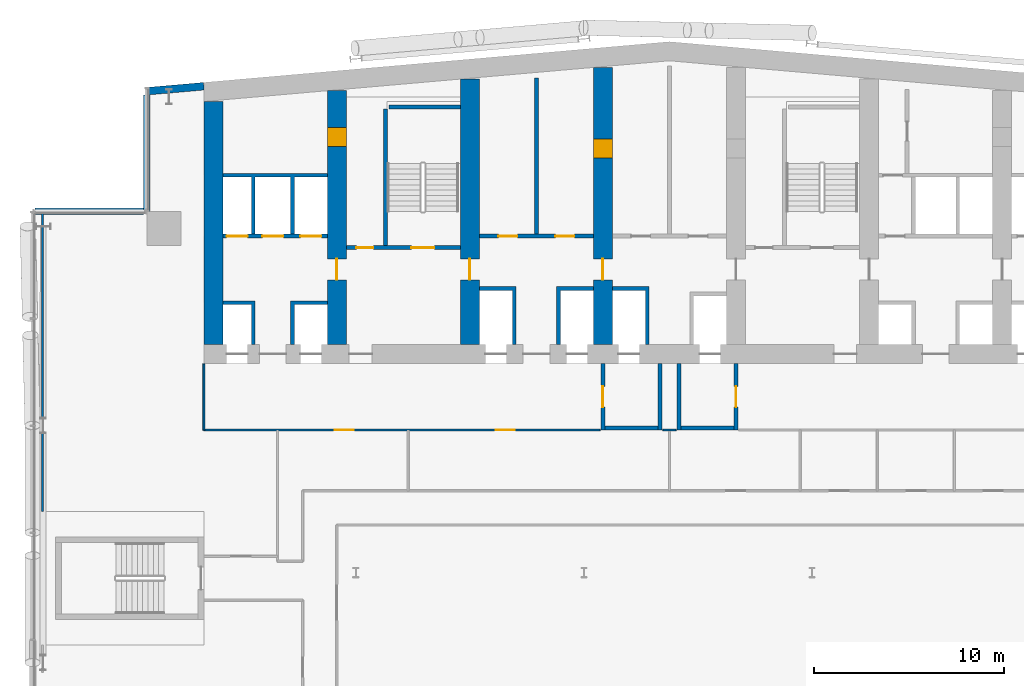
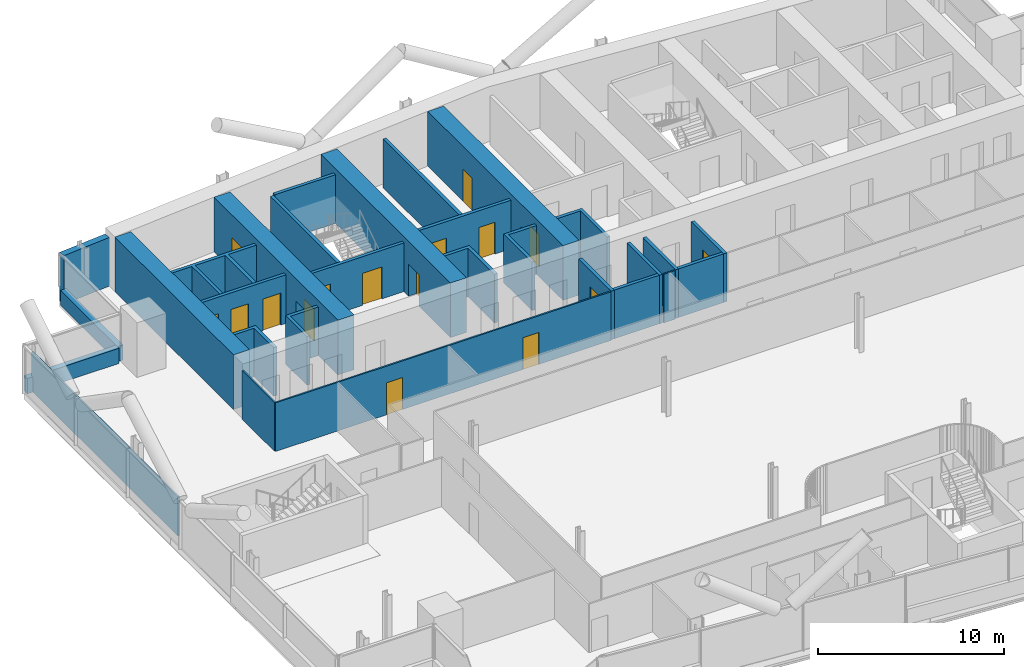
# One storey, part 20 of 31: 29 walls, 16 doors, 16 openings.
"""IFC4 building model written with IfcOpenShell, lengths in metres."""

from ifc_helpers import new_model, si_unit, direction, frame, frame_2d, origin, place, context, subcontext, project, spatial, polyline, rectangle, outline, extrude, material, layer, layer_set, type_object, element, fill, save


model = new_model("IFC4")

# Units and contexts
model_context = context("Model", 3, precision=1e-05, world=origin(), true_north=direction((0.0, 1.0)))
body_context = subcontext(model_context, "Body", "Model", "MODEL_VIEW")
ifc_project = project(units=[si_unit("LENGTHUNIT", "METRE"), si_unit("AREAUNIT", "SQUARE_METRE"), si_unit("VOLUMEUNIT", "CUBIC_METRE"), si_unit("PLANEANGLEUNIT", "RADIAN"), si_unit("MASSUNIT", "GRAM", prefix="KILO")], contexts=[model_context])

# Site, building, storey
site_placement = place(None, origin())
site = spatial("IfcSite", under=ifc_project, at=site_placement, CompositionType="ELEMENT")
building_placement = place(site_placement, origin())
building = spatial("IfcBuilding", under=site, at=building_placement, Name="Wharfspan Tower", CompositionType="ELEMENT")
storey_placement = place(building_placement, frame((0.0, 0.0, 103.899902)))
storey = spatial("IfcBuildingStorey", under=building, at=storey_placement, Name="L23", CompositionType="ELEMENT", Elevation=103.899902)

# Wall
ifc_material_1 = material(Name="Gypsum board on steel studs", Category="steel")
ifc_layer_1 = layer(ifc_material_1, 0.100098)
ifc_layer_set_1 = layer_set([ifc_layer_1], Name="Gypsum board on steel studs")
wall_type_1 = type_object("IfcWallType", Name="Compartment wall 100 EI 60", PredefinedType="PARTITIONING", material=ifc_layer_set_1)
wall_1_placement = place(storey_placement, frame((16.0, 30.5, 0.0), z_axis=(0.0, 0.0, 1.0), x_axis=(0.0, 1.0, 0.0)))
element("IfcWall", 1, at=wall_1_placement, inside=storey, type_object=wall_type_1, Name="Partition L23.w004", PredefinedType="PARTITIONING", context=body_context, shape_type="SweptSolid", body=[
    extrude(rectangle(XDim=3.47998, YDim=0.100098, at=frame_2d((1.73999, 0.0))), origin(), (0.0, 0.0, 1.0), 3.200195),
])

# Wall, openings, doors
wall_2_placement = place(storey_placement, frame((16.0, 30.5, 0.0), z_axis=(0.0, 0.0, 1.0), x_axis=(1.0, 0.0, 0.0)))
wall_2 = element("IfcWall", 2, at=wall_2_placement, inside=storey, type_object=wall_type_1, Name="Partition L23.w005", PredefinedType="PARTITIONING", context=body_context, shape_type="SweptSolid", body=[
    extrude(rectangle(XDim=20.850098, YDim=0.100098, at=frame_2d((10.425049, 0.0))), origin(), (0.0, 0.0, 1.0), 3.200195),
])
opening_1_placement = place(wall_2_placement, frame((6.89502, 0.0, 0.0)))
opening_1 = element("IfcOpeningElement", 3, at=opening_1_placement, cuts=wall_2, Name="Opening B2-20", PredefinedType="OPENING", context=body_context, shape_type="SweptSolid", body=[
    extrude(rectangle(XDim=1.0, YDim=2.100098, at=frame_2d((0.5, 1.050049))), frame((0.0, 0.060059, 0.0), z_axis=(0.0, -1.0, 0.0), x_axis=(1.0, 0.0, 0.0)), (0.0, 0.0, 1.0), 0.120117),
])
opening_2_placement = place(wall_2_placement, frame((15.370117, 0.0, 0.0)))
opening_2 = element("IfcOpeningElement", 4, at=opening_2_placement, cuts=wall_2, Name="Opening B2-21", PredefinedType="OPENING", context=body_context, shape_type="SweptSolid", body=[
    extrude(rectangle(XDim=1.0, YDim=2.100098, at=frame_2d((0.5, 1.050049))), frame((0.0, 0.060059, 0.0), z_axis=(0.0, -1.0, 0.0), x_axis=(1.0, 0.0, 0.0)), (0.0, 0.0, 1.0), 0.120117),
])
ifc_material_2 = material(Name="Fire-rated timber door leaf in steel frame", Category="steel")
door_type_1 = type_object("IfcDoorType", Name="Door 1000 FD30S Left", OperationType="SINGLE_SWING_LEFT", PredefinedType="DOOR", material=ifc_material_2)
door_1_placement = place(opening_1_placement, origin())
door_1 = element("IfcDoor", 5, at=door_1_placement, inside=storey, type_object=door_type_1, Name="Door B2-20", OperationType="SINGLE_SWING_LEFT", OverallHeight=2.100098, OverallWidth=1.0, PredefinedType="DOOR", context=body_context, shape_type="SweptSolid", body=[
    extrude(rectangle(XDim=1.0, YDim=2.100098, at=frame_2d((0.5, 1.050049))), frame((0.0, 0.024902, 0.0), z_axis=(0.0, -1.0, 0.0), x_axis=(1.0, 0.0, 0.0)), (0.0, 0.0, 1.0), 0.050049),
])
fill(opening_1, door_1)
door_2_placement = place(opening_2_placement, origin())
door_2 = element("IfcDoor", 6, at=door_2_placement, inside=storey, type_object=door_type_1, Name="Door B2-21", OperationType="SINGLE_SWING_LEFT", OverallHeight=2.100098, OverallWidth=1.0, PredefinedType="DOOR", context=body_context, shape_type="SweptSolid", body=[
    extrude(rectangle(XDim=1.0, YDim=2.100098, at=frame_2d((0.5, 1.050049))), frame((0.0, 0.024902, 0.0), z_axis=(0.0, -1.0, 0.0), x_axis=(1.0, 0.0, 0.0)), (0.0, 0.0, 1.0), 0.050049),
])
fill(opening_2, door_2)

# Walls
wall_3_placement = place(storey_placement, frame((40.149902, 30.5, 0.0), z_axis=(0.0, 0.0, 1.0), x_axis=(1.0, 0.0, 0.0)))
element("IfcWall", 7, at=wall_3_placement, inside=storey, type_object=wall_type_1, Name="Partition L23.w005 (2)", PredefinedType="PARTITIONING", context=body_context, shape_type="SweptSolid", body=[
    extrude(rectangle(XDim=0.700195, YDim=0.100098, at=frame_2d((0.350098, 0.0))), origin(), (0.0, 0.0, 1.0), 3.200195),
])
ifc_material_3 = material(Name="Calcium silicate masonry", Category="masonry")
ifc_layer_2 = layer(ifc_material_3, 0.199951)
ifc_layer_set_2 = layer_set([ifc_layer_2], Name="Calcium silicate masonry")
wall_type_2 = type_object("IfcWallType", Name="Core room wall 200", PredefinedType="PARTITIONING", material=ifc_layer_set_2)
wall_4_placement = place(storey_placement, frame((33.5, 40.800049, 0.0), z_axis=(0.0, 0.0, 1.0), x_axis=(0.0, 1.0, 0.0)))
element("IfcWall", 8, at=wall_4_placement, inside=storey, type_object=wall_type_2, Name="sw:L23:RP3.1", PredefinedType="PARTITIONING", context=body_context, shape_type="SweptSolid", body=[
    extrude(rectangle(XDim=8.232178, YDim=0.199951, at=frame_2d((4.116211, 0.0))), origin(), (0.0, 0.0, 1.0), 3.200195),
])
ifc_material_4 = material(Name="Concrete C70/85", Category="concrete")
ifc_layer_3 = layer(ifc_material_4, 1.0)
ifc_layer_set_3 = layer_set([ifc_layer_3], Name="Concrete C70/85")
wall_type_3 = type_object("IfcWallType", Name="Core wall 1000 C70/85", PredefinedType="SHEAR", material=ifc_layer_set_3)
wall_5_placement = place(storey_placement, frame((16.5, 35.0, 0.0), z_axis=(0.0, 0.0, 1.0), x_axis=(0.0, 1.0, 0.0)))
element("IfcWall", 9, at=wall_5_placement, inside=storey, type_object=wall_type_3, Name="Core cross wall EW0 L23", PredefinedType="SHEAR", context=body_context, shape_type="SweptSolid", body=[
    extrude(rectangle(XDim=12.783691, YDim=1.0, at=frame_2d((6.391846, 0.0))), origin(), (0.0, 0.0, 1.0), 3.600098),
])

# Wall, openings, doors
wall_6_placement = place(storey_placement, frame((23.0, 35.0, 0.0), z_axis=(0.0, 0.0, 1.0), x_axis=(0.0, 1.0, 0.0)))
wall_6 = element("IfcWall", 10, at=wall_6_placement, inside=storey, type_object=wall_type_3, Name="Core cross wall X2 L23", PredefinedType="SHEAR", context=body_context, shape_type="SweptSolid", body=[
    extrude(rectangle(XDim=13.352295, YDim=1.0, at=frame_2d((6.67627, 0.0))), origin(), (0.0, 0.0, 1.0), 3.600098),
])
opening_3_placement = place(wall_6_placement, frame((10.425537, 0.0, 0.0)))
opening_3 = element("IfcOpeningElement", 11, at=opening_3_placement, cuts=wall_6, Name="Opening CD23.1X", PredefinedType="OPENING", context=body_context, shape_type="SweptSolid", body=[
    extrude(rectangle(XDim=1.0, YDim=2.100098, at=frame_2d((0.5, 1.050049))), frame((0.0, 0.51001, 0.0), z_axis=(0.0, -1.0, 0.0), x_axis=(1.0, 0.0, 0.0)), (0.0, 0.0, 1.0), 1.02002),
])
opening_4_placement = place(wall_6_placement, frame((3.399902, 0.0, 0.0)))
opening_4 = element("IfcOpeningElement", 12, at=opening_4_placement, cuts=wall_6, Name="Opening CC23.2", PredefinedType="OPENING", context=body_context, shape_type="SweptSolid", body=[
    extrude(rectangle(XDim=1.100098, YDim=2.100098, at=frame_2d((0.550049, 1.050049))), frame((0.0, 0.51001, 0.0), z_axis=(0.0, -1.0, 0.0), x_axis=(1.0, 0.0, 0.0)), (0.0, 0.0, 1.0), 1.02002),
])
ifc_material_5 = material(Name="Steel door leaf", Category="steel")
door_type_2 = type_object("IfcDoorType", Name="Core corridor door 1100x2100", OperationType="SINGLE_SWING_LEFT", PredefinedType="DOOR", material=ifc_material_5)
door_3_placement = place(opening_4_placement, origin())
door_3 = element("IfcDoor", 13, at=door_3_placement, inside=storey, type_object=door_type_2, Name="xd:L23:2", OperationType="SINGLE_SWING_RIGHT", OverallHeight=2.100098, OverallWidth=1.100098, PredefinedType="DOOR", context=body_context, shape_type="SweptSolid", body=[
    extrude(rectangle(XDim=1.100098, YDim=2.100098, at=frame_2d((0.550049, 1.050049))), frame((0.0, 0.024902, 0.0), z_axis=(0.0, -1.0, 0.0), x_axis=(1.0, 0.0, 0.0)), (0.0, 0.0, 1.0), 0.050049),
])
fill(opening_4, door_3)
door_type_3 = type_object("IfcDoorType", Name="Core room door 1000x2100", OperationType="SINGLE_SWING_LEFT", PredefinedType="DOOR", material=ifc_material_5)
door_4_placement = place(opening_3_placement, origin())
door_4 = element("IfcDoor", 14, at=door_4_placement, inside=storey, type_object=door_type_3, Name="d:L23:1:sx", OperationType="SINGLE_SWING_LEFT", OverallHeight=2.100098, OverallWidth=1.0, PredefinedType="DOOR", context=body_context, shape_type="SweptSolid", body=[
    extrude(rectangle(XDim=1.0, YDim=2.100098, at=frame_2d((0.5, 1.050049))), frame((0.0, 0.499756, 0.0), z_axis=(0.0, -1.0, 0.0), x_axis=(1.0, 0.0, 0.0)), (0.0, 0.0, 1.0), 0.999512),
])
fill(opening_3, door_4)

# Wall, opening, door
wall_7_placement = place(storey_placement, frame((30.0, 35.0, 0.0), z_axis=(0.0, 0.0, 1.0), x_axis=(0.0, 1.0, 0.0)))
wall_7 = element("IfcWall", 15, at=wall_7_placement, inside=storey, type_object=wall_type_3, Name="Core cross wall X3 L23", PredefinedType="SHEAR", context=body_context, shape_type="SweptSolid", body=[
    extrude(rectangle(XDim=13.9646, YDim=1.0, at=frame_2d((6.982422, 0.0))), origin(), (0.0, 0.0, 1.0), 3.600098),
])
opening_5_placement = place(wall_7_placement, frame((3.399902, 0.0, 0.0)))
opening_5 = element("IfcOpeningElement", 16, at=opening_5_placement, cuts=wall_7, Name="Opening CC23.3", PredefinedType="OPENING", context=body_context, shape_type="SweptSolid", body=[
    extrude(rectangle(XDim=1.100098, YDim=2.100098, at=frame_2d((0.550049, 1.050049))), frame((0.0, 0.51001, 0.0), z_axis=(0.0, -1.0, 0.0), x_axis=(1.0, 0.0, 0.0)), (0.0, 0.0, 1.0), 1.02002),
])
door_5_placement = place(opening_5_placement, origin())
door_5 = element("IfcDoor", 17, at=door_5_placement, inside=storey, type_object=door_type_2, Name="xd:L23:3", OperationType="SINGLE_SWING_LEFT", OverallHeight=2.100098, OverallWidth=1.100098, PredefinedType="DOOR", context=body_context, shape_type="SweptSolid", body=[
    extrude(rectangle(XDim=1.100098, YDim=2.100098, at=frame_2d((0.550049, 1.050049))), frame((0.0, 0.024902, 0.0), z_axis=(0.0, -1.0, 0.0), x_axis=(1.0, 0.0, 0.0)), (0.0, 0.0, 1.0), 0.050049),
])
fill(opening_5, door_5)

# Wall, openings, doors
wall_8_placement = place(storey_placement, frame((37.0, 35.0, 0.0), z_axis=(0.0, 0.0, 1.0), x_axis=(0.0, 1.0, 0.0)))
wall_8 = element("IfcWall", 18, at=wall_8_placement, inside=storey, type_object=wall_type_3, Name="Core cross wall X4 L23", PredefinedType="SHEAR", context=body_context, shape_type="SweptSolid", body=[
    extrude(rectangle(XDim=14.577148, YDim=1.0, at=frame_2d((7.288574, 0.0))), origin(), (0.0, 0.0, 1.0), 3.600098),
])
opening_6_placement = place(wall_8_placement, frame((3.399902, 0.0, 0.0)))
opening_6 = element("IfcOpeningElement", 19, at=opening_6_placement, cuts=wall_8, Name="Opening CC23.4", PredefinedType="OPENING", context=body_context, shape_type="SweptSolid", body=[
    extrude(rectangle(XDim=1.100098, YDim=2.100098, at=frame_2d((0.550049, 1.050049))), frame((0.0, 0.51001, 0.0), z_axis=(0.0, -1.0, 0.0), x_axis=(1.0, 0.0, 0.0)), (0.0, 0.0, 1.0), 1.02002),
])
opening_7_placement = place(wall_8_placement, frame((9.800049, 0.0, 0.0)))
opening_7 = element("IfcOpeningElement", 20, at=opening_7_placement, cuts=wall_8, Name="Opening CR23.4", PredefinedType="OPENING", context=body_context, shape_type="SweptSolid", body=[
    extrude(rectangle(XDim=1.0, YDim=2.100098, at=frame_2d((0.5, 1.050049))), frame((0.0, 0.51001, 0.0), z_axis=(0.0, -1.0, 0.0), x_axis=(1.0, 0.0, 0.0)), (0.0, 0.0, 1.0), 1.02002),
])
door_6_placement = place(opening_6_placement, origin())
door_6 = element("IfcDoor", 21, at=door_6_placement, inside=storey, type_object=door_type_2, Name="xd:L23:4", OperationType="SINGLE_SWING_RIGHT", OverallHeight=2.100098, OverallWidth=1.100098, PredefinedType="DOOR", context=body_context, shape_type="SweptSolid", body=[
    extrude(rectangle(XDim=1.100098, YDim=2.100098, at=frame_2d((0.550049, 1.050049))), frame((0.0, 0.024902, 0.0), z_axis=(0.0, -1.0, 0.0), x_axis=(1.0, 0.0, 0.0)), (0.0, 0.0, 1.0), 0.050049),
])
fill(opening_6, door_6)
door_7_placement = place(opening_7_placement, origin())
door_7 = element("IfcDoor", 22, at=door_7_placement, inside=storey, type_object=door_type_3, Name="xr:L23:4", OperationType="SINGLE_SWING_RIGHT", OverallHeight=2.100098, OverallWidth=1.0, PredefinedType="DOOR", context=body_context, shape_type="SweptSolid", body=[
    extrude(rectangle(XDim=1.0, YDim=2.100098, at=frame_2d((0.5, 1.050049))), frame((0.0, 0.499756, 0.0), z_axis=(0.0, -1.0, 0.0), x_axis=(1.0, 0.0, 0.0)), (0.0, 0.0, 1.0), 0.999512),
])
fill(opening_7, door_7)

ifc_material_6 = material(Name="Concrete C30/37", Category="concrete")
ifc_layer_4 = layer(ifc_material_6, 0.199951)
ifc_layer_set_4 = layer_set([ifc_layer_4], Name="Concrete C30/37")
wall_type_4 = type_object("IfcWallType", Name="Lift shaft wall 200", PredefinedType="PARTITIONING", material=ifc_layer_set_4)
wall_9_placement = place(storey_placement, frame((17.0, 40.699951, 0.0), z_axis=(0.0, 0.0, 1.0), x_axis=(1.0, 0.0, 0.0)))
wall_9 = element("IfcWall", 23, at=wall_9_placement, inside=storey, type_object=wall_type_4, Name="sw:L23:RF1", PredefinedType="PARTITIONING", context=body_context, shape_type="SweptSolid", body=[
    extrude(rectangle(XDim=5.5, YDim=0.199951, at=frame_2d((2.75, 0.0))), origin(), (0.0, 0.0, 1.0), 3.200195),
])
opening_8_placement = place(wall_9_placement, frame((0.199951, 0.0, 0.0)))
opening_8 = element("IfcOpeningElement", 24, at=opening_8_placement, cuts=wall_9, Name="Opening LD.LA3.L23", PredefinedType="OPENING", context=body_context, shape_type="SweptSolid", body=[
    extrude(rectangle(XDim=1.100098, YDim=2.100098, at=frame_2d((0.550049, 1.050049))), frame((0.0, 0.109863, 0.0), z_axis=(0.0, -1.0, 0.0), x_axis=(1.0, 0.0, 0.0)), (0.0, 0.0, 1.0), 0.219971),
])
opening_9_placement = place(wall_9_placement, frame((2.083252, 0.0, 0.0)))
opening_9 = element("IfcOpeningElement", 25, at=opening_9_placement, cuts=wall_9, Name="Opening LD.LA4.L23", PredefinedType="OPENING", context=body_context, shape_type="SweptSolid", body=[
    extrude(rectangle(XDim=1.100098, YDim=2.100098, at=frame_2d((0.550049, 1.050049))), frame((0.0, 0.109863, 0.0), z_axis=(0.0, -1.0, 0.0), x_axis=(1.0, 0.0, 0.0)), (0.0, 0.0, 1.0), 0.219971),
])
opening_10_placement = place(wall_9_placement, frame((4.083252, 0.0, 0.0)))
opening_10 = element("IfcOpeningElement", 26, at=opening_10_placement, cuts=wall_9, Name="Opening LD.LA5.L23", PredefinedType="OPENING", context=body_context, shape_type="SweptSolid", body=[
    extrude(rectangle(XDim=1.100098, YDim=2.100098, at=frame_2d((0.550049, 1.050049))), frame((0.0, 0.109863, 0.0), z_axis=(0.0, -1.0, 0.0), x_axis=(1.0, 0.0, 0.0)), (0.0, 0.0, 1.0), 0.219971),
])
ifc_material_7 = material(Name="Stainless steel", Category="steel")
door_type_4 = type_object("IfcDoorType", Name="Lift landing door 1100x2100", OperationType="DOUBLE_DOOR_SLIDING", PredefinedType="DOOR", material=ifc_material_7)
door_8_placement = place(opening_8_placement, origin())
door_8 = element("IfcDoor", 27, at=door_8_placement, inside=storey, type_object=door_type_4, Name="Landing door LA3 L23", OperationType="DOUBLE_DOOR_SLIDING", OverallHeight=2.100098, OverallWidth=1.100098, PredefinedType="DOOR", context=body_context, shape_type="SweptSolid", body=[
    extrude(rectangle(XDim=1.100098, YDim=2.100098, at=frame_2d((0.550049, 1.050049))), frame((0.0, 0.024902, 0.0), z_axis=(0.0, -1.0, 0.0), x_axis=(1.0, 0.0, 0.0)), (0.0, 0.0, 1.0), 0.050049),
])
fill(opening_8, door_8)
door_9_placement = place(opening_9_placement, origin())
door_9 = element("IfcDoor", 28, at=door_9_placement, inside=storey, type_object=door_type_4, Name="Landing door LA4 L23", OperationType="DOUBLE_DOOR_SLIDING", OverallHeight=2.100098, OverallWidth=1.100098, PredefinedType="DOOR", context=body_context, shape_type="SweptSolid", body=[
    extrude(rectangle(XDim=1.100098, YDim=2.100098, at=frame_2d((0.550049, 1.050049))), frame((0.0, 0.024902, 0.0), z_axis=(0.0, -1.0, 0.0), x_axis=(1.0, 0.0, 0.0)), (0.0, 0.0, 1.0), 0.050049),
])
fill(opening_9, door_9)
door_10_placement = place(opening_10_placement, origin())
door_10 = element("IfcDoor", 29, at=door_10_placement, inside=storey, type_object=door_type_4, Name="Landing door LA5 L23", OperationType="DOUBLE_DOOR_SLIDING", OverallHeight=2.100098, OverallWidth=1.100098, PredefinedType="DOOR", context=body_context, shape_type="SweptSolid", body=[
    extrude(rectangle(XDim=1.100098, YDim=2.100098, at=frame_2d((0.550049, 1.050049))), frame((0.0, 0.024902, 0.0), z_axis=(0.0, -1.0, 0.0), x_axis=(1.0, 0.0, 0.0)), (0.0, 0.0, 1.0), 0.050049),
])
fill(opening_10, door_10)

# Walls
wall_10_placement = place(storey_placement, origin())
element("IfcWall", 30, at=wall_10_placement, inside=storey, type_object=wall_type_4, Name="sw:L23:FM1.0", PredefinedType="PARTITIONING", context=body_context, shape_type="SweptSolid", body=[
    extrude(outline(polyline([(18.5, 37.100098), (17.0, 37.100098), (17.0, 37.300049), (18.5, 37.300049), (18.699951, 37.300049), (18.699951, 35.0), (18.5, 35.0), (18.5, 37.100098)])), origin(), (0.0, 0.0, 1.0), 3.200195),
])
wall_11_placement = place(storey_placement, origin())
element("IfcWall", 31, at=wall_11_placement, inside=storey, type_object=wall_type_4, Name="sw:L23:FM1.1", PredefinedType="PARTITIONING", context=body_context, shape_type="SweptSolid", body=[
    extrude(outline(polyline([(20.56665, 37.300049), (20.766602, 37.300049), (22.5, 37.300049), (22.5, 37.100098), (20.766602, 37.100098), (20.766602, 35.0), (20.56665, 35.0), (20.56665, 37.300049)])), origin(), (0.0, 0.0, 1.0), 3.200195),
])
wall_12_placement = place(storey_placement, origin())
element("IfcWall", 32, at=wall_12_placement, inside=storey, type_object=wall_type_4, Name="sw:L23:RM1.0", PredefinedType="PARTITIONING", context=body_context, shape_type="SweptSolid", body=[
    extrude(outline(polyline([(18.699951, 40.800049), (18.5, 40.800049), (18.5, 43.800049), (17.0, 43.800049), (17.0, 44.0), (22.5, 44.0), (22.5, 43.800049), (20.766602, 43.800049), (20.766602, 40.800049), (20.56665, 40.800049), (20.56665, 43.800049), (18.699951, 43.800049), (18.699951, 40.800049)])), origin(), (0.0, 0.0, 1.0), 3.200195),
])

# Wall, openings, doors
wall_13_placement = place(storey_placement, frame((30.5, 40.699951, 0.0), z_axis=(0.0, 0.0, 1.0), x_axis=(1.0, 0.0, 0.0)))
wall_13 = element("IfcWall", 33, at=wall_13_placement, inside=storey, type_object=wall_type_4, Name="sw:L23:RF3", PredefinedType="PARTITIONING", context=body_context, shape_type="SweptSolid", body=[
    extrude(rectangle(XDim=6.0, YDim=0.199951, at=frame_2d((3.0, 0.0))), origin(), (0.0, 0.0, 1.0), 3.200195),
])
opening_11_placement = place(wall_13_placement, frame((1.0, 0.0, 0.0)))
opening_11 = element("IfcOpeningElement", 34, at=opening_11_placement, cuts=wall_13, Name="Opening CD23.3S", PredefinedType="OPENING", context=body_context, shape_type="SweptSolid", body=[
    extrude(rectangle(XDim=1.0, YDim=2.100098, at=frame_2d((0.5, 1.050049))), frame((0.0, 0.109863, 0.0), z_axis=(0.0, -1.0, 0.0), x_axis=(1.0, 0.0, 0.0)), (0.0, 0.0, 1.0), 0.219971),
])
opening_12_placement = place(wall_13_placement, frame((4.0, 0.0, 0.0)))
opening_12 = element("IfcOpeningElement", 35, at=opening_12_placement, cuts=wall_13, Name="Opening CD23.3Sa", PredefinedType="OPENING", context=body_context, shape_type="SweptSolid", body=[
    extrude(rectangle(XDim=1.0, YDim=2.100098, at=frame_2d((0.5, 1.050049))), frame((0.0, 0.109863, 0.0), z_axis=(0.0, -1.0, 0.0), x_axis=(1.0, 0.0, 0.0)), (0.0, 0.0, 1.0), 0.219971),
])
door_11_placement = place(opening_11_placement, origin())
door_11 = element("IfcDoor", 36, at=door_11_placement, inside=storey, type_object=door_type_3, Name="d:L23:3:sf", OperationType="SINGLE_SWING_LEFT", OverallHeight=2.100098, OverallWidth=1.0, PredefinedType="DOOR", context=body_context, shape_type="SweptSolid", body=[
    extrude(rectangle(XDim=1.0, YDim=2.100098, at=frame_2d((0.5, 1.050049))), frame((0.0, 0.024902, 0.0), z_axis=(0.0, -1.0, 0.0), x_axis=(1.0, 0.0, 0.0)), (0.0, 0.0, 1.0), 0.050049),
])
fill(opening_11, door_11)
door_12_placement = place(opening_12_placement, origin())
door_12 = element("IfcDoor", 37, at=door_12_placement, inside=storey, type_object=door_type_3, Name="d:L23:3:sf1", OperationType="SINGLE_SWING_LEFT", OverallHeight=2.100098, OverallWidth=1.0, PredefinedType="DOOR", context=body_context, shape_type="SweptSolid", body=[
    extrude(rectangle(XDim=1.0, YDim=2.100098, at=frame_2d((0.5, 1.050049))), frame((0.0, 0.024902, 0.0), z_axis=(0.0, -1.0, 0.0), x_axis=(1.0, 0.0, 0.0)), (0.0, 0.0, 1.0), 0.050049),
])
fill(opening_12, door_12)

# Walls
wall_14_placement = place(storey_placement, origin())
element("IfcWall", 38, at=wall_14_placement, inside=storey, type_object=wall_type_4, Name="sw:L23:FM3.0", PredefinedType="PARTITIONING", context=body_context, shape_type="SweptSolid", body=[
    extrude(outline(polyline([(32.233398, 37.850098), (30.5, 37.850098), (30.5, 38.050049), (32.233398, 38.050049), (32.43335, 38.050049), (32.43335, 35.0), (32.233398, 35.0), (32.233398, 37.850098)])), origin(), (0.0, 0.0, 1.0), 3.200195),
])
wall_15_placement = place(storey_placement, origin())
element("IfcWall", 39, at=wall_15_placement, inside=storey, type_object=wall_type_4, Name="sw:L23:FM3.1", PredefinedType="PARTITIONING", context=body_context, shape_type="SweptSolid", body=[
    extrude(outline(polyline([(34.56665, 38.050049), (34.766602, 38.050049), (36.5, 38.050049), (36.5, 37.850098), (34.766602, 37.850098), (34.766602, 35.0), (34.56665, 35.0), (34.56665, 38.050049)])), origin(), (0.0, 0.0, 1.0), 3.200195),
])
wall_16_placement = place(storey_placement, origin())
element("IfcWall", 40, at=wall_16_placement, inside=storey, type_object=wall_type_4, Name="sw:L23:FM4.1", PredefinedType="PARTITIONING", context=body_context, shape_type="SweptSolid", body=[
    extrude(outline(polyline([(39.233398, 37.850098), (37.5, 37.850098), (37.5, 38.050049), (39.233398, 38.050049), (39.43335, 38.050049), (39.43335, 35.0), (39.233398, 35.0), (39.233398, 37.850098)])), origin(), (0.0, 0.0, 1.0), 3.200195),
])

# Wall, opening, door
ifc_layer_5 = layer(ifc_material_6, 0.199951)
ifc_layer_set_5 = layer_set([ifc_layer_5], Name="Concrete C30/37")
wall_type_5 = type_object("IfcWallType", Name="Lobby wall 200", PredefinedType="PARTITIONING", material=ifc_layer_set_5)
wall_17_placement = place(storey_placement, frame((37.0, 30.5, 0.0), z_axis=(0.0, 0.0, 1.0), x_axis=(0.0, 1.0, 0.0)))
wall_17 = element("IfcWall", 41, at=wall_17_placement, inside=storey, type_object=wall_type_5, Name="sw:L23:FLFF1W", PredefinedType="PARTITIONING", context=body_context, shape_type="SweptSolid", body=[
    extrude(rectangle(XDim=3.5, YDim=0.199951, at=frame_2d((1.75, 0.0))), origin(), (0.0, 0.0, 1.0), 3.200195),
])
opening_13_placement = place(wall_17_placement, frame((1.199951, 0.0, 0.0)))
opening_13 = element("IfcOpeningElement", 42, at=opening_13_placement, cuts=wall_17, Name="Opening FL.FF1.L23", PredefinedType="OPENING", context=body_context, shape_type="SweptSolid", body=[
    extrude(rectangle(XDim=1.100098, YDim=2.100098, at=frame_2d((0.550049, 1.050049))), frame((0.0, 0.109863, 0.0), z_axis=(0.0, -1.0, 0.0), x_axis=(1.0, 0.0, 0.0)), (0.0, 0.0, 1.0), 0.219971),
])
door_type_5 = type_object("IfcDoorType", Name="Firefighting lobby door 1100x2100", OperationType="SINGLE_SWING_LEFT", PredefinedType="DOOR", material=ifc_material_5)
door_13_placement = place(opening_13_placement, origin())
door_13 = element("IfcDoor", 43, at=door_13_placement, inside=storey, type_object=door_type_5, Name="fd:L23:FF1", OperationType="SINGLE_SWING_LEFT", OverallHeight=2.100098, OverallWidth=1.100098, PredefinedType="DOOR", context=body_context, shape_type="SweptSolid", body=[
    extrude(rectangle(XDim=1.100098, YDim=2.100098, at=frame_2d((0.550049, 1.050049))), frame((0.0, 0.024902, 0.0), z_axis=(0.0, -1.0, 0.0), x_axis=(1.0, 0.0, 0.0)), (0.0, 0.0, 1.0), 0.050049),
])
fill(opening_13, door_13)

# Walls
wall_18_placement = place(storey_placement, frame((40.0, 30.5, 0.0), z_axis=(0.0, 0.0, 1.0), x_axis=(0.0, 1.0, 0.0)))
element("IfcWall", 44, at=wall_18_placement, inside=storey, type_object=wall_type_5, Name="sw:L23:FLFF1E", PredefinedType="PARTITIONING", context=body_context, shape_type="SweptSolid", body=[
    extrude(rectangle(XDim=3.5, YDim=0.199951, at=frame_2d((1.75, 0.0))), origin(), (0.0, 0.0, 1.0), 3.200195),
])
wall_19_placement = place(storey_placement, frame((37.100098, 30.600098, 0.0), z_axis=(0.0, 0.0, 1.0), x_axis=(1.0, 0.0, 0.0)))
element("IfcWall", 45, at=wall_19_placement, inside=storey, type_object=wall_type_5, Name="sw:L23:FLFF1F", PredefinedType="PARTITIONING", context=body_context, shape_type="SweptSolid", body=[
    extrude(rectangle(XDim=2.799805, YDim=0.199951, at=frame_2d((1.399902, 0.0))), origin(), (0.0, 0.0, 1.0), 3.200195),
])
wall_20_placement = place(storey_placement, frame((41.0, 30.5, 0.0), z_axis=(0.0, 0.0, 1.0), x_axis=(0.0, 1.0, 0.0)))
element("IfcWall", 46, at=wall_20_placement, inside=storey, type_object=wall_type_5, Name="sw:L23:FLFF2W", PredefinedType="PARTITIONING", context=body_context, shape_type="SweptSolid", body=[
    extrude(rectangle(XDim=3.5, YDim=0.199951, at=frame_2d((1.75, 0.0))), origin(), (0.0, 0.0, 1.0), 3.200195),
])

# Wall, opening, door
wall_21_placement = place(storey_placement, frame((44.0, 30.5, 0.0), z_axis=(0.0, 0.0, 1.0), x_axis=(0.0, 1.0, 0.0)))
wall_21 = element("IfcWall", 47, at=wall_21_placement, inside=storey, type_object=wall_type_5, Name="sw:L23:FLFF2E", PredefinedType="PARTITIONING", context=body_context, shape_type="SweptSolid", body=[
    extrude(rectangle(XDim=3.5, YDim=0.199951, at=frame_2d((1.75, 0.0))), origin(), (0.0, 0.0, 1.0), 3.200195),
])
opening_14_placement = place(wall_21_placement, frame((1.199951, 0.0, 0.0)))
opening_14 = element("IfcOpeningElement", 48, at=opening_14_placement, cuts=wall_21, Name="Opening FL.FF2.L23", PredefinedType="OPENING", context=body_context, shape_type="SweptSolid", body=[
    extrude(rectangle(XDim=1.100098, YDim=2.100098, at=frame_2d((0.550049, 1.050049))), frame((0.0, 0.109863, 0.0), z_axis=(0.0, -1.0, 0.0), x_axis=(1.0, 0.0, 0.0)), (0.0, 0.0, 1.0), 0.219971),
])
door_14_placement = place(opening_14_placement, origin())
door_14 = element("IfcDoor", 49, at=door_14_placement, inside=storey, type_object=door_type_5, Name="fd:L23:FF2", OperationType="SINGLE_SWING_LEFT", OverallHeight=2.100098, OverallWidth=1.100098, PredefinedType="DOOR", context=body_context, shape_type="SweptSolid", body=[
    extrude(rectangle(XDim=1.100098, YDim=2.100098, at=frame_2d((0.550049, 1.050049))), frame((0.0, 0.024902, 0.0), z_axis=(0.0, -1.0, 0.0), x_axis=(1.0, 0.0, 0.0)), (0.0, 0.0, 1.0), 0.050049),
])
fill(opening_14, door_14)

# Walls
wall_22_placement = place(storey_placement, frame((41.100098, 30.600098, 0.0), z_axis=(0.0, 0.0, 1.0), x_axis=(1.0, 0.0, 0.0)))
element("IfcWall", 50, at=wall_22_placement, inside=storey, type_object=wall_type_5, Name="sw:L23:FLFF2F", PredefinedType="PARTITIONING", context=body_context, shape_type="SweptSolid", body=[
    extrude(rectangle(XDim=2.799805, YDim=0.199951, at=frame_2d((1.399902, 0.0))), origin(), (0.0, 0.0, 1.0), 3.200195),
])
ifc_layer_6 = layer(ifc_material_1, 0.100098)
ifc_layer_set_6 = layer_set([ifc_layer_6], Name="Gypsum board on steel studs")
wall_type_6 = type_object("IfcWallType", Name="Partition 100", PredefinedType="PARTITIONING", material=ifc_layer_set_6)
wall_23_placement = place(storey_placement, frame((7.51001, 26.219971, 0.0), z_axis=(0.0, 0.0, 1.0), x_axis=(0.0, 1.0, 0.0)))
element("IfcWall", 51, at=wall_23_placement, inside=storey, type_object=wall_type_6, Name="Partition L23.w002", PredefinedType="PARTITIONING", context=body_context, shape_type="SweptSolid", body=[
    extrude(rectangle(XDim=15.76001, YDim=0.100098, at=frame_2d((7.879883, 0.0))), origin(), (0.0, 0.0, 1.0), 2.580078),
])
ifc_material_8 = material(Name="Concrete C40/50", Category="concrete")
ifc_layer_7 = layer(ifc_material_8, 0.350098)
ifc_layer_set_7 = layer_set([ifc_layer_7], Name="Concrete C40/50")
wall_type_7 = type_object("IfcWallType", Name="SPANDREL EXPOSED CONCRETE 350", PredefinedType="SOLIDWALL", material=ifc_layer_set_7)
wall_24_placement = place(storey_placement, frame((12.995117, 48.126465, 0.0), z_axis=(0.0, 0.0, 1.0), x_axis=(0.0, -1.0, 0.0)))
element("IfcWall", 52, at=wall_24_placement, inside=storey, type_object=wall_type_7, Name="Spandrel upstand L23 NRW-V", PredefinedType="SOLIDWALL", context=body_context, shape_type="SweptSolid", body=[
    extrude(rectangle(XDim=6.126465, YDim=0.350098, at=frame_2d((3.063232, 0.0))), origin(), (0.0, 0.0, 1.0), 1.0),
])
wall_25_placement = place(storey_placement, frame((12.820068, 42.004883, 0.0), z_axis=(0.0, 0.0, 1.0), x_axis=(-1.0, 0.0, 0.0)))
element("IfcWall", 53, at=wall_25_placement, inside=storey, type_object=wall_type_7, Name="Spandrel upstand L23 NRW-H", PredefinedType="SOLIDWALL", context=body_context, shape_type="SweptSolid", body=[
    extrude(rectangle(XDim=5.699951, YDim=0.350098, at=frame_2d((2.850098, 0.0))), origin(), (0.0, 0.0, 1.0), 1.0),
])

# Wall, openings, doors
ifc_layer_8 = layer(ifc_material_8, 0.199951)
ifc_layer_set_8 = layer_set([ifc_layer_8], Name="Concrete C40/50")
wall_type_8 = type_object("IfcWallType", Name="Stair shaft wall 200", PredefinedType="SHEAR", material=ifc_layer_set_8)
wall_26_placement = place(storey_placement, frame((23.5, 40.100098, 0.0), z_axis=(0.0, 0.0, 1.0), x_axis=(1.0, 0.0, 0.0)))
wall_26 = element("IfcWall", 54, at=wall_26_placement, inside=storey, type_object=wall_type_8, Name="ST1 stair enclosure wall L23", PredefinedType="SHEAR", context=body_context, shape_type="SweptSolid", body=[
    extrude(rectangle(XDim=6.0, YDim=0.199951, at=frame_2d((3.0, 0.0))), origin(), (0.0, 0.0, 1.0), 3.200195),
])
opening_15_placement = place(wall_26_placement, frame((3.425049, 0.0, 0.0)))
opening_15 = element("IfcOpeningElement", 55, at=opening_15_placement, cuts=wall_26, Name="Opening SD2.L23", PredefinedType="OPENING", context=body_context, shape_type="SweptSolid", body=[
    extrude(rectangle(XDim=1.199951, YDim=2.100098, at=frame_2d((0.600098, 1.050049))), frame((0.0, 0.109863, 0.0), z_axis=(0.0, -1.0, 0.0), x_axis=(1.0, 0.0, 0.0)), (0.0, 0.0, 1.0), 0.219971),
])
opening_16_placement = place(wall_26_placement, frame((0.524902, 0.0, 0.0)))
opening_16 = element("IfcOpeningElement", 56, at=opening_16_placement, cuts=wall_26, Name="Opening CD23.2R", PredefinedType="OPENING", context=body_context, shape_type="SweptSolid", body=[
    extrude(rectangle(XDim=0.899902, YDim=2.100098, at=frame_2d((0.449951, 1.050049))), frame((0.0, 0.109863, 0.0), z_axis=(0.0, -1.0, 0.0), x_axis=(1.0, 0.0, 0.0)), (0.0, 0.0, 1.0), 0.219971),
])
door_15_placement = place(opening_16_placement, origin())
door_15 = element("IfcDoor", 57, at=door_15_placement, inside=storey, type_object=door_type_3, Name="rk:L23:2", OperationType="SINGLE_SWING_LEFT", OverallHeight=2.100098, OverallWidth=0.899902, PredefinedType="DOOR", context=body_context, shape_type="SweptSolid", body=[
    extrude(rectangle(XDim=0.899902, YDim=2.100098, at=frame_2d((0.449951, 1.050049))), frame((0.0, 0.024902, 0.0), z_axis=(0.0, -1.0, 0.0), x_axis=(1.0, 0.0, 0.0)), (0.0, 0.0, 1.0), 0.050049),
])
fill(opening_16, door_15)
door_type_6 = type_object("IfcDoorType", Name="Stair door 1200x2100", OperationType="SINGLE_SWING_LEFT", PredefinedType="DOOR", material=ifc_material_5)
door_16_placement = place(opening_15_placement, origin())
door_16 = element("IfcDoor", 58, at=door_16_placement, inside=storey, type_object=door_type_6, Name="sd:L23:2", OperationType="SINGLE_SWING_RIGHT", OverallHeight=2.100098, OverallWidth=1.199951, PredefinedType="DOOR", context=body_context, shape_type="SweptSolid", body=[
    extrude(rectangle(XDim=1.199951, YDim=2.100098, at=frame_2d((0.600098, 1.050049))), frame((0.0, 0.024902, 0.0), z_axis=(0.0, -1.0, 0.0), x_axis=(1.0, 0.0, 0.0)), (0.0, 0.0, 1.0), 0.050049),
])
fill(opening_15, door_16)

# Walls
wall_27_placement = place(storey_placement, frame((25.550049, 40.199951, 0.0), z_axis=(0.0, 0.0, 1.0), x_axis=(0.0, 1.0, 0.0)))
element("IfcWall", 59, at=wall_27_placement, inside=storey, type_object=wall_type_8, Name="ST1 stair enclosure wall L23", PredefinedType="SHEAR", context=body_context, shape_type="SweptSolid", body=[
    extrude(rectangle(XDim=7.199951, YDim=0.199951, at=frame_2d((3.600098, 0.0))), origin(), (0.0, 0.0, 1.0), 3.200195),
])
wall_28_placement = place(storey_placement, frame((25.75, 47.5, 0.0), z_axis=(0.0, 0.0, 1.0), x_axis=(1.0, 0.0, 0.0)))
element("IfcWall", 60, at=wall_28_placement, inside=storey, type_object=wall_type_8, Name="ST1 stair enclosure wall L23", PredefinedType="SHEAR", context=body_context, shape_type="SweptSolid", body=[
    extrude(rectangle(XDim=3.75, YDim=0.199951, at=frame_2d((1.875, 0.0))), origin(), (0.0, 0.0, 1.0), 3.200195),
])
ifc_layer_9 = layer(ifc_material_8, 0.399902)
ifc_layer_set_9 = layer_set([ifc_layer_9], Name="Concrete C40/50")
wall_type_9 = type_object("IfcWallType", Name="WALL EXPOSED CONCRETE 400", PredefinedType="SOLIDWALL", material=ifc_layer_set_9)
wall_29_placement = place(storey_placement, frame((16.0, 48.58667, 0.0), z_axis=(0.0, 0.0, 1.0), x_axis=(-0.996194, -0.087168, 0.0)))
element("IfcWall", 61, at=wall_29_placement, inside=storey, type_object=wall_type_9, Name="Rear wall N1", PredefinedType="SOLIDWALL", context=body_context, shape_type="SweptSolid", body=[
    extrude(rectangle(XDim=2.994141, YDim=0.399902, at=frame_2d((1.49707, 0.0))), origin(), (0.0, 0.0, 1.0), 3.200195),
])

save(model, "model.ifc")
